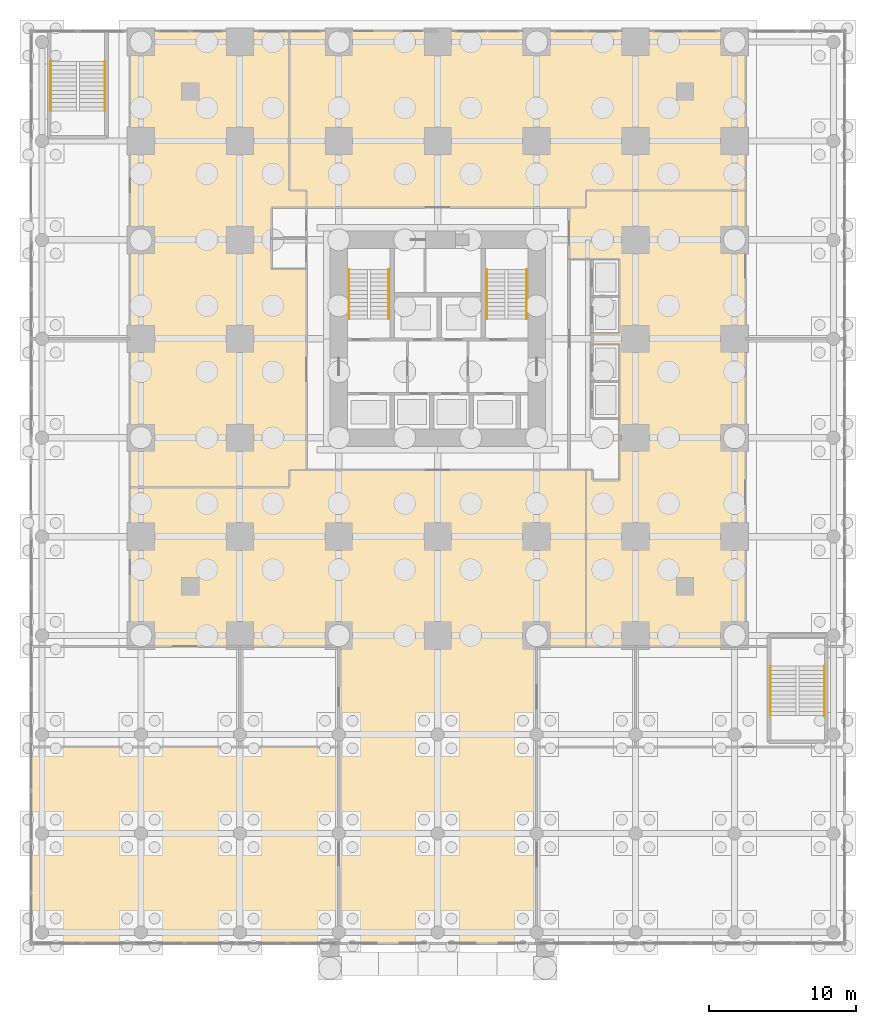
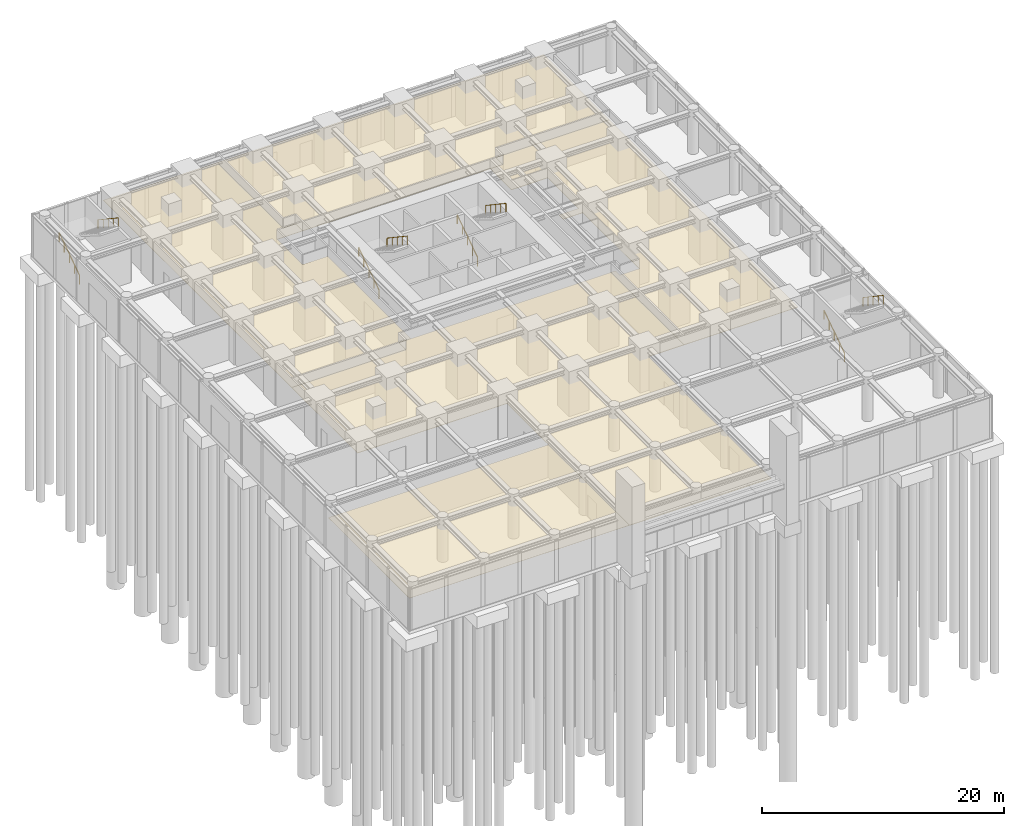
# One storey, part 13 of 14: 8 railings, 5 coverings.
"""IFC4 building model written with IfcOpenShell, lengths in metres."""

import ifcopenshell
import ifcopenshell.guid

model = None  # the IFC model being written
_history = None  # IfcOwnerHistory: only IFC2X3 demands one
_inside = {}  # id of a spatial element -> (the spatial element, [elements in it])
_under = {}  # id of a project, library or spatial element -> (it, [spatial elements below it])
_declared = {}  # id of a project -> (the project, [libraries it declares])
_typed = {}  # id of a type object -> (the type object, [elements of that type])
_made_of = {}  # id of a material, layer set ... -> (it, [elements and type objects made of it])


def new_model(schema):
    """Start an empty IFC model of exactly this schema.

    Asked for "IFC4X3", IfcOpenShell would pick the latest addendum, in which some entities
    have other attributes; the version numbers below select the first issue.
    IFC2X3 requires an IfcOwnerHistory on every rooted entity: one is made here for all.
    """
    global model, _history
    if schema == "IFC4X3":
        model = ifcopenshell.file(schema_version=(4, 3, 0, 0))
    else:
        model = ifcopenshell.file(schema=schema)
    _inside.clear()
    _under.clear()
    _declared.clear()
    _typed.clear()
    _made_of.clear()
    _history = None
    if model.schema == "IFC2X3":
        org = make("IfcOrganization", Name="unknown")
        user = make(
            "IfcPersonAndOrganization",
            ThePerson=make("IfcPerson", FamilyName="unknown"),
            TheOrganization=org,
        )
        app = make(
            "IfcApplication",
            ApplicationDeveloper=org,
            Version="unknown",
            ApplicationFullName="unknown",
            ApplicationIdentifier="unknown",
        )
        _history = make(
            "IfcOwnerHistory",
            OwningUser=user,
            OwningApplication=app,
            ChangeAction="ADDED",
            CreationDate=0,
        )
    return model


def make(cls, **values):
    """One entity of the class cls with the attributes given. An attribute that is None is left unset."""
    return model.create_entity(
        cls, **{name: value for name, value in values.items() if value is not None}
    )


def rooted(cls, **values):
    """An entity with a GlobalId (a new one), such as an element, a storey or a relation."""
    return make(cls, GlobalId=ifcopenshell.guid.new(), OwnerHistory=_history, **values)


def si_unit(unit_type, name, prefix=None):
    """IfcSIUnit, for example si_unit("LENGTHUNIT", "METRE", prefix="MILLI")."""
    return make("IfcSIUnit", UnitType=unit_type, Prefix=prefix, Name=name)


def assignment(units):
    """IfcUnitAssignment: the units of a project."""
    return None if units is None else make("IfcUnitAssignment", Units=units)


def point(xyz):
    """IfcCartesianPoint."""
    return None if xyz is None else make("IfcCartesianPoint", Coordinates=xyz)


def direction(xyz):
    """IfcDirection."""
    return None if xyz is None else make("IfcDirection", DirectionRatios=xyz)


def frame(location, z_axis=None, x_axis=None):
    """IfcAxis2Placement3D, a coordinate frame: its origin and axes. An axis left out is left unset."""
    return make(
        "IfcAxis2Placement3D",
        Location=point(location),
        Axis=direction(z_axis),
        RefDirection=direction(x_axis),
    )


def frame_2d(location, x_axis=None):
    """IfcAxis2Placement2D, a coordinate frame in the plane: its origin and x axis."""
    return make(
        "IfcAxis2Placement2D", Location=point(location), RefDirection=direction(x_axis)
    )


def origin():
    """The frame at (0, 0, 0) with its axes left unset."""
    return frame((0.0, 0.0, 0.0))


def origin_2d():
    """The frame at (0, 0) in the plane with its x axis left unset."""
    return frame_2d((0.0, 0.0))


def place(relative_to, where):
    """IfcLocalPlacement: puts the frame where relative to a parent placement (None: the world)."""
    return make(
        "IfcLocalPlacement", PlacementRelTo=relative_to, RelativePlacement=where
    )


def context(
    kind, dimensions, precision=None, world=None, true_north=None, identifier=None
):
    """IfcGeometricRepresentationContext, for example the 3D "Model" context."""
    return make(
        "IfcGeometricRepresentationContext",
        ContextIdentifier=identifier,
        ContextType=kind,
        CoordinateSpaceDimension=dimensions,
        Precision=precision,
        WorldCoordinateSystem=world,
        TrueNorth=true_north,
    )


def subcontext(parent, identifier, kind, view, scale=None):
    """IfcGeometricRepresentationSubContext, for example "Body" below "Model"."""
    return make(
        "IfcGeometricRepresentationSubContext",
        ContextIdentifier=identifier,
        ContextType=kind,
        ParentContext=parent,
        TargetScale=scale,
        TargetView=view,
    )


def project(units=None, contexts=None):
    """IfcProject with its units and contexts."""
    return rooted(
        "IfcProject",
        Name="project",
        RepresentationContexts=contexts,
        UnitsInContext=assignment(units),
    )


def spatial(cls, under=None, at=None, **own):
    """A site, building, storey or space (cls), placed at a placement, below another one or the project."""
    s = rooted(cls, ObjectPlacement=at, **own)
    if under is not None:
        _under.setdefault(under.id(), (under, []))[1].append(s)
    return s


def polyline(points):
    """IfcPolyline through the points."""
    return make("IfcPolyline", Points=[point(p) for p in points])


def profile(cls, at=None, kind="AREA", **sizes):
    """A parametric profile (cls). Its sizes go by their IFC names, for example OverallWidth=200.0."""
    return make(cls, ProfileType=kind, Position=at, **sizes)


def rectangle(**sizes):
    """IfcRectangleProfileDef."""
    return profile("IfcRectangleProfileDef", **sizes)


def outline(outer, holes=None, kind="AREA"):
    """IfcArbitraryClosedProfileDef: a profile drawn as a closed curve; with holes, ...WithVoids."""
    if holes is None:
        return make("IfcArbitraryClosedProfileDef", ProfileType=kind, OuterCurve=outer)
    return make(
        "IfcArbitraryProfileDefWithVoids",
        ProfileType=kind,
        OuterCurve=outer,
        InnerCurves=holes,
    )


def extrude(swept, where, along, depth):
    """IfcExtrudedAreaSolid: the profile swept, set in the frame where, extruded along a direction by depth."""
    return make(
        "IfcExtrudedAreaSolid",
        SweptArea=swept,
        Position=where,
        ExtrudedDirection=direction(along),
        Depth=depth,
    )


def shape(context_of_items, identifier, shape_type, items):
    """IfcShapeRepresentation: the items that make up one representation, for example the "Body"."""
    return make(
        "IfcShapeRepresentation",
        ContextOfItems=context_of_items,
        RepresentationIdentifier=identifier,
        RepresentationType=shape_type,
        Items=items,
    )


def material(Name=None, Category=None):
    """IfcMaterial."""
    return make("IfcMaterial", Name=Name, Category=Category)


def layer(
    of_material, thickness, ventilated=None, Name=None, Category=None, Priority=None
):
    """IfcMaterialLayer: one layer of a wall or slab, of a material (None: an air gap)."""
    return make(
        "IfcMaterialLayer",
        Material=of_material,
        LayerThickness=thickness,
        IsVentilated=ventilated,
        Name=Name,
        Category=Category,
        Priority=Priority,
    )


def layer_set(layers, Name=None):
    """IfcMaterialLayerSet."""
    return make("IfcMaterialLayerSet", MaterialLayers=layers, LayerSetName=Name)


def made_of(thing, what):
    """Note that an element or type object is made of a material, layer set ...; save() writes the relation."""
    if what is not None:
        _made_of.setdefault(what.id(), (what, []))[1].append(thing)
    return thing


def type_object(cls, material=None, **own):
    """A type object (cls), such as IfcWallType, which elements share."""
    return made_of(rooted(cls, **own), material)


def element(
    cls,
    number,
    at=None,
    inside=None,
    cuts=None,
    type_object=None,
    material=None,
    context=None,
    identifier="Body",
    shape_type=None,
    held_by="IfcProductDefinitionShape",
    body=None,
    shapes=None,
    **own,
):
    """One element of the class cls, such as IfcWall. Its Tag is "e" and its number.

    at: its placement. inside: the storey or other place that contains it. cuts: it is an
    opening in that element (IfcRelVoidsElement). A single representation is given by context,
    identifier, shape_type and body (its items); several are given by shapes. held_by: the class
    of the entity that holds the representations. save() writes the other relations.
    """
    e = rooted(cls, Tag="e%d" % number, ObjectPlacement=at, **own)
    if body is not None:
        shapes = [shape(context, identifier, shape_type, body)]
    if shapes is not None:
        e.Representation = make(held_by, Representations=shapes)
    if inside is not None:
        _inside.setdefault(inside.id(), (inside, []))[1].append(e)
    if cuts is not None:
        rooted(
            "IfcRelVoidsElement", RelatingBuildingElement=cuts, RelatedOpeningElement=e
        )
    if type_object is not None:
        _typed.setdefault(type_object.id(), (type_object, []))[1].append(e)
    return made_of(e, material)


def aggregate(whole, parts):
    """IfcRelAggregates: a whole, such as a stair, and the parts it consists of."""
    return rooted("IfcRelAggregates", RelatingObject=whole, RelatedObjects=parts)


def save(model, path):
    """Write the relations noted so far, then the file.

    IfcRelAggregates (storeys below a building ...), IfcRelContainedInSpatialStructure (elements
    in a storey), IfcRelDefinesByType, IfcRelAssociatesMaterial and IfcRelDeclares: one each for
    every whole, place, type object, material and project.
    """
    for whole, parts in _under.values():
        aggregate(whole, parts)
    for where, things in _inside.values():
        rooted(
            "IfcRelContainedInSpatialStructure",
            RelatedElements=things,
            RelatingStructure=where,
        )
    for kind, things in _typed.values():
        rooted("IfcRelDefinesByType", RelatedObjects=things, RelatingType=kind)
    for what, things in _made_of.values():
        rooted("IfcRelAssociatesMaterial", RelatedObjects=things, RelatingMaterial=what)
    for by, libraries in _declared.values():
        rooted("IfcRelDeclares", RelatingContext=by, RelatedDefinitions=libraries)
    model.write(path)


model = new_model("IFC4")

# Units and contexts
model_context = context("Model", 3, precision=1e-05, world=origin(), true_north=direction((0.0, 1.0)))
body_context = subcontext(model_context, "Body", "Model", "MODEL_VIEW")
ifc_project = project(units=[si_unit("LENGTHUNIT", "METRE"), si_unit("AREAUNIT", "SQUARE_METRE"), si_unit("VOLUMEUNIT", "CUBIC_METRE"), si_unit("PLANEANGLEUNIT", "RADIAN"), si_unit("MASSUNIT", "GRAM", prefix="KILO")], contexts=[model_context])

# Site, building, storey
site_placement = place(None, origin())
site = spatial("IfcSite", under=ifc_project, at=site_placement, CompositionType="ELEMENT")
building_placement = place(site_placement, origin())
building = spatial("IfcBuilding", under=site, at=building_placement, Name="Nyansa Garden Tower", CompositionType="ELEMENT")
storey_placement = place(building_placement, origin())
storey = spatial("IfcBuildingStorey", under=building, at=storey_placement, Name="L00", CompositionType="ELEMENT", Elevation=0.0)

# Covering
ifc_material_1 = material(Name="Perforated timber acoustic ceiling", Category="wood")
ifc_layer_1 = layer(ifc_material_1, 0.02001953125)
ifc_layer_set_1 = layer_set([ifc_layer_1], Name="Acoustic ceiling CL20")
covering_type_1 = type_object("IfcCoveringType", Name="Acoustic ceiling CL20", PredefinedType="CEILING", material=ifc_layer_set_1)
covering_1_placement = place(storey_placement, frame((0.0, 0.0, 3.22998046875)))
element("IfcCovering", 1, at=covering_1_placement, inside=storey, type_object=covering_type_1, Name="Ceiling L00-017", PredefinedType="CEILING", context=body_context, shape_type="SweptSolid", body=[
    extrude(outline(polyline([(13.5, -7.60009765625), (13.5, -21.0), (-7.5, -21.0), (-7.5, -7.60009765625), (13.5, -7.60009765625)])), origin(), (0.0, 0.0, 1.0), 0.02001953125),
])

# Railings
ifc_material_2 = material(Name="Black powder-coated steel tube 48 mm", Category="steel")
railing_type = type_object("IfcRailingType", Name="Stair handrail HR1", PredefinedType="HANDRAIL", material=ifc_material_2)
railing_1_placement = place(storey_placement, frame((14.199951171875, 21.60009765625, 0.0)))
element("IfcRailing", 2, at=railing_1_placement, inside=storey, type_object=railing_type, Name="Stair S1 handrail L00", PredefinedType="HANDRAIL", context=body_context, shape_type="SweptSolid", body=[
    extrude(rectangle(XDim=0.048095703125, YDim=0.048095703125, at=origin_2d()), frame((0.0, 0.0, 0.8759765625), z_axis=(0.0, 0.830896709279, 0.556426687452), x_axis=(-1.0, 0.0, 0.0)), (0.0, 0.0, 1.0), 4.043701171875),
    extrude(rectangle(XDim=0.0419921875, YDim=0.0419921875, at=origin_2d()), origin(), (0.0, 0.0, 1.0), 0.851806640625),
    extrude(rectangle(XDim=0.0419921875, YDim=0.0419921875, at=origin_2d()), frame((0.0, 0.83984375, 0.5625)), (0.0, 0.0, 1.0), 0.851806640625),
    extrude(rectangle(XDim=0.0419921875, YDim=0.0419921875, at=origin_2d()), frame((0.0, 1.679931640625, 1.125)), (0.0, 0.0, 1.0), 0.851806640625),
    extrude(rectangle(XDim=0.0419921875, YDim=0.0419921875, at=origin_2d()), frame((0.0, 2.52001953125, 1.6875)), (0.0, 0.0, 1.0), 0.851806640625),
    extrude(rectangle(XDim=0.0419921875, YDim=0.0419921875, at=origin_2d()), frame((0.0, 3.35986328125, 2.25)), (0.0, 0.0, 1.0), 0.851806640625),
])
railing_2_placement = place(storey_placement, frame((16.89990234375, 24.9599609375, 2.25)))
element("IfcRailing", 3, at=railing_2_placement, inside=storey, type_object=railing_type, Name="Stair S1 handrail L00", PredefinedType="HANDRAIL", context=body_context, shape_type="SweptSolid", body=[
    extrude(rectangle(XDim=0.048095703125, YDim=0.048095703125, at=origin_2d()), frame((0.0, 0.0, 0.8759765625), z_axis=(0.0, -0.830896709279, 0.556426687452), x_axis=(1.0, 0.0, 0.0)), (0.0, 0.0, 1.0), 4.043701171875),
    extrude(rectangle(XDim=0.0419921875, YDim=0.0419921875, at=origin_2d()), origin(), (0.0, 0.0, 1.0), 0.851806640625),
    extrude(rectangle(XDim=0.0419921875, YDim=0.0419921875, at=origin_2d()), frame((0.0, -0.83984375, 0.5625)), (0.0, 0.0, 1.0), 0.851806640625),
    extrude(rectangle(XDim=0.0419921875, YDim=0.0419921875, at=origin_2d()), frame((0.0, -1.679931640625, 1.125)), (0.0, 0.0, 1.0), 0.851806640625),
    extrude(rectangle(XDim=0.0419921875, YDim=0.0419921875, at=origin_2d()), frame((0.0, -2.52001953125, 1.6875)), (0.0, 0.0, 1.0), 0.851806640625),
    extrude(rectangle(XDim=0.0419921875, YDim=0.0419921875, at=origin_2d()), frame((0.0, -3.35986328125, 2.25)), (0.0, 0.0, 1.0), 0.851806640625),
])
railing_3_placement = place(storey_placement, frame((23.60009765625, 21.60009765625, 0.0)))
element("IfcRailing", 4, at=railing_3_placement, inside=storey, type_object=railing_type, Name="Stair S2 handrail L00", PredefinedType="HANDRAIL", context=body_context, shape_type="SweptSolid", body=[
    extrude(rectangle(XDim=0.048095703125, YDim=0.048095703125, at=origin_2d()), frame((0.0, 0.0, 0.8759765625), z_axis=(0.0, 0.830896709279, 0.556426687452), x_axis=(-1.0, 0.0, 0.0)), (0.0, 0.0, 1.0), 4.043701171875),
    extrude(rectangle(XDim=0.0419921875, YDim=0.0419921875, at=origin_2d()), origin(), (0.0, 0.0, 1.0), 0.851806640625),
    extrude(rectangle(XDim=0.0419921875, YDim=0.0419921875, at=origin_2d()), frame((0.0, 0.83984375, 0.5625)), (0.0, 0.0, 1.0), 0.851806640625),
    extrude(rectangle(XDim=0.0419921875, YDim=0.0419921875, at=origin_2d()), frame((0.0, 1.679931640625, 1.125)), (0.0, 0.0, 1.0), 0.851806640625),
    extrude(rectangle(XDim=0.0419921875, YDim=0.0419921875, at=origin_2d()), frame((0.0, 2.52001953125, 1.6875)), (0.0, 0.0, 1.0), 0.851806640625),
    extrude(rectangle(XDim=0.0419921875, YDim=0.0419921875, at=origin_2d()), frame((0.0, 3.35986328125, 2.25)), (0.0, 0.0, 1.0), 0.851806640625),
])
railing_4_placement = place(storey_placement, frame((26.300048828125, 24.9599609375, 2.25)))
element("IfcRailing", 5, at=railing_4_placement, inside=storey, type_object=railing_type, Name="Stair S2 handrail L00", PredefinedType="HANDRAIL", context=body_context, shape_type="SweptSolid", body=[
    extrude(rectangle(XDim=0.048095703125, YDim=0.048095703125, at=origin_2d()), frame((0.0, 0.0, 0.8759765625), z_axis=(0.0, -0.830896709279, 0.556426687452), x_axis=(1.0, 0.0, 0.0)), (0.0, 0.0, 1.0), 4.043701171875),
    extrude(rectangle(XDim=0.0419921875, YDim=0.0419921875, at=origin_2d()), origin(), (0.0, 0.0, 1.0), 0.851806640625),
    extrude(rectangle(XDim=0.0419921875, YDim=0.0419921875, at=origin_2d()), frame((0.0, -0.83984375, 0.5625)), (0.0, 0.0, 1.0), 0.851806640625),
    extrude(rectangle(XDim=0.0419921875, YDim=0.0419921875, at=origin_2d()), frame((0.0, -1.679931640625, 1.125)), (0.0, 0.0, 1.0), 0.851806640625),
    extrude(rectangle(XDim=0.0419921875, YDim=0.0419921875, at=origin_2d()), frame((0.0, -2.52001953125, 1.6875)), (0.0, 0.0, 1.0), 0.851806640625),
    extrude(rectangle(XDim=0.0419921875, YDim=0.0419921875, at=origin_2d()), frame((0.0, -3.35986328125, 2.25)), (0.0, 0.0, 1.0), 0.851806640625),
])
railing_5_placement = place(storey_placement, frame((-6.14990234375, 35.800048828125, 0.0)))
element("IfcRailing", 6, at=railing_5_placement, inside=storey, type_object=railing_type, Name="Stair S3 handrail L00", PredefinedType="HANDRAIL", context=body_context, shape_type="SweptSolid", body=[
    extrude(rectangle(XDim=0.048095703125, YDim=0.048095703125, at=origin_2d()), frame((0.0, 0.0, 0.8759765625), z_axis=(0.0, 0.830896709279, 0.556426687452), x_axis=(-1.0, 0.0, 0.0)), (0.0, 0.0, 1.0), 4.043701171875),
    extrude(rectangle(XDim=0.0419921875, YDim=0.0419921875, at=origin_2d()), origin(), (0.0, 0.0, 1.0), 0.851806640625),
    extrude(rectangle(XDim=0.0419921875, YDim=0.0419921875, at=origin_2d()), frame((0.0, 0.83984375, 0.5625)), (0.0, 0.0, 1.0), 0.851806640625),
    extrude(rectangle(XDim=0.0419921875, YDim=0.0419921875, at=origin_2d()), frame((0.0, 1.679931640625, 1.125)), (0.0, 0.0, 1.0), 0.851806640625),
    extrude(rectangle(XDim=0.0419921875, YDim=0.0419921875, at=origin_2d()), frame((0.0, 2.52001953125, 1.6875)), (0.0, 0.0, 1.0), 0.851806640625),
    extrude(rectangle(XDim=0.0419921875, YDim=0.0419921875, at=origin_2d()), frame((0.0, 3.35986328125, 2.25)), (0.0, 0.0, 1.0), 0.851806640625),
])
railing_6_placement = place(storey_placement, frame((-2.449951171875, 39.159912109375, 2.25)))
element("IfcRailing", 7, at=railing_6_placement, inside=storey, type_object=railing_type, Name="Stair S3 handrail L00", PredefinedType="HANDRAIL", context=body_context, shape_type="SweptSolid", body=[
    extrude(rectangle(XDim=0.048095703125, YDim=0.048095703125, at=origin_2d()), frame((0.0, 0.0, 0.8759765625), z_axis=(0.0, -0.830896709279, 0.556426687452), x_axis=(1.0, 0.0, 0.0)), (0.0, 0.0, 1.0), 4.043701171875),
    extrude(rectangle(XDim=0.0419921875, YDim=0.0419921875, at=origin_2d()), origin(), (0.0, 0.0, 1.0), 0.851806640625),
    extrude(rectangle(XDim=0.0419921875, YDim=0.0419921875, at=origin_2d()), frame((0.0, -0.83984375, 0.5625)), (0.0, 0.0, 1.0), 0.851806640625),
    extrude(rectangle(XDim=0.0419921875, YDim=0.0419921875, at=origin_2d()), frame((0.0, -1.679931640625, 1.125)), (0.0, 0.0, 1.0), 0.851806640625),
    extrude(rectangle(XDim=0.0419921875, YDim=0.0419921875, at=origin_2d()), frame((0.0, -2.52001953125, 1.6875)), (0.0, 0.0, 1.0), 0.851806640625),
    extrude(rectangle(XDim=0.0419921875, YDim=0.0419921875, at=origin_2d()), frame((0.0, -3.35986328125, 2.25)), (0.0, 0.0, 1.0), 0.851806640625),
])
railing_7_placement = place(storey_placement, frame((42.949951171875, -5.449951171875, 0.0)))
element("IfcRailing", 8, at=railing_7_placement, inside=storey, type_object=railing_type, Name="Stair S4 handrail L00", PredefinedType="HANDRAIL", context=body_context, shape_type="SweptSolid", body=[
    extrude(rectangle(XDim=0.048095703125, YDim=0.048095703125, at=origin_2d()), frame((0.0, 0.0, 0.8759765625), z_axis=(0.0, 0.830896709279, 0.556426687452), x_axis=(-1.0, 0.0, 0.0)), (0.0, 0.0, 1.0), 4.043701171875),
    extrude(rectangle(XDim=0.0419921875, YDim=0.0419921875, at=origin_2d()), origin(), (0.0, 0.0, 1.0), 0.851806640625),
    extrude(rectangle(XDim=0.0419921875, YDim=0.0419921875, at=origin_2d()), frame((0.0, 0.83984375, 0.5625)), (0.0, 0.0, 1.0), 0.851806640625),
    extrude(rectangle(XDim=0.0419921875, YDim=0.0419921875, at=origin_2d()), frame((0.0, 1.679931640625, 1.125)), (0.0, 0.0, 1.0), 0.851806640625),
    extrude(rectangle(XDim=0.0419921875, YDim=0.0419921875, at=origin_2d()), frame((0.0, 2.52001953125, 1.6875)), (0.0, 0.0, 1.0), 0.851806640625),
    extrude(rectangle(XDim=0.0419921875, YDim=0.0419921875, at=origin_2d()), frame((0.0, 3.35986328125, 2.25)), (0.0, 0.0, 1.0), 0.851806640625),
])
railing_8_placement = place(storey_placement, frame((46.64990234375, -2.090087890625, 2.25)))
element("IfcRailing", 9, at=railing_8_placement, inside=storey, type_object=railing_type, Name="Stair S4 handrail L00", PredefinedType="HANDRAIL", context=body_context, shape_type="SweptSolid", body=[
    extrude(rectangle(XDim=0.048095703125, YDim=0.048095703125, at=origin_2d()), frame((0.0, 0.0, 0.8759765625), z_axis=(0.0, -0.830896709279, 0.556426687452), x_axis=(1.0, 0.0, 0.0)), (0.0, 0.0, 1.0), 4.043701171875),
    extrude(rectangle(XDim=0.0419921875, YDim=0.0419921875, at=origin_2d()), origin(), (0.0, 0.0, 1.0), 0.851806640625),
    extrude(rectangle(XDim=0.0419921875, YDim=0.0419921875, at=origin_2d()), frame((0.0, -0.83984375, 0.5625)), (0.0, 0.0, 1.0), 0.851806640625),
    extrude(rectangle(XDim=0.0419921875, YDim=0.0419921875, at=origin_2d()), frame((0.0, -1.679931640625, 1.125)), (0.0, 0.0, 1.0), 0.851806640625),
    extrude(rectangle(XDim=0.0419921875, YDim=0.0419921875, at=origin_2d()), frame((0.0, -2.52001953125, 1.6875)), (0.0, 0.0, 1.0), 0.851806640625),
    extrude(rectangle(XDim=0.0419921875, YDim=0.0419921875, at=origin_2d()), frame((0.0, -3.35986328125, 2.25)), (0.0, 0.0, 1.0), 0.851806640625),
])

# Coverings
ifc_material_3 = material(Name="Glazed ceramic tile coffers on suspended grid")
ifc_layer_2 = layer(ifc_material_3, 0.0400390625)
ifc_layer_set_2 = layer_set([ifc_layer_2], Name="Tiled coffered ceiling CL40")
covering_type_2 = type_object("IfcCoveringType", Name="Tiled coffered ceiling CL40", PredefinedType="CEILING", material=ifc_layer_set_2)
covering_2_placement = place(storey_placement, frame((0.0, 0.0, 3.2099609375)))
element("IfcCovering", 10, at=covering_2_placement, inside=storey, type_object=covering_type_2, Name="Ceiling L00-016", PredefinedType="CEILING", context=body_context, shape_type="SweptSolid", body=[
    extrude(outline(polyline([(13.5, -0.75), (-0.75, -0.75), (-0.75, 10.125), (10.125, 10.125), (10.125, 11.300048828125), (30.375, 11.300048828125), (30.375, -0.75), (27.0, -0.75), (27.0, -21.0), (13.5, -21.0), (13.5, -0.75)])), origin(), (0.0, 0.0, 1.0), 0.0400390625),
])
covering_3_placement = place(storey_placement, frame((0.0, 0.0, 3.2099609375)))
element("IfcCovering", 11, at=covering_3_placement, inside=storey, type_object=covering_type_2, Name="Ceiling L00-021", PredefinedType="CEILING", context=body_context, shape_type="SweptSolid", body=[
    extrude(outline(polyline([(30.800048828125, 11.300048828125), (30.800048828125, 10.60009765625), (32.64990234375, 10.60009765625), (32.64990234375, 19.89990234375), (30.800048828125, 19.89990234375), (30.800048828125, 20.60009765625), (32.64990234375, 20.60009765625), (32.64990234375, 25.699951171875), (29.199951171875, 25.699951171875), (29.199951171875, 29.199951171875), (30.375, 29.199951171875), (30.375, 30.375), (41.25, 30.375), (41.25, -0.75), (30.375, -0.75), (30.375, 11.300048828125), (30.800048828125, 11.300048828125)])), origin(), (0.0, 0.0, 1.0), 0.0400390625),
])
covering_4_placement = place(storey_placement, frame((0.0, 0.0, 3.2099609375)))
element("IfcCovering", 12, at=covering_4_placement, inside=storey, type_object=covering_type_2, Name="Ceiling L00-022", PredefinedType="CEILING", context=body_context, shape_type="SweptSolid", body=[
    extrude(outline(polyline([(41.25, 41.25), (41.25, 30.375), (30.375, 30.375), (30.375, 29.199951171875), (11.300048828125, 29.199951171875), (11.300048828125, 30.375), (10.125, 30.375), (10.125, 41.25), (41.25, 41.25)])), origin(), (0.0, 0.0, 1.0), 0.0400390625),
])
covering_5_placement = place(storey_placement, frame((0.0, 0.0, 3.2099609375)))
element("IfcCovering", 13, at=covering_5_placement, inside=storey, type_object=covering_type_2, Name="Ceiling L00-025", PredefinedType="CEILING", context=body_context, shape_type="SweptSolid", body=[
    extrude(outline(polyline([(10.125, 41.25), (10.125, 30.375), (11.300048828125, 30.375), (11.300048828125, 29.199951171875), (8.89990234375, 29.199951171875), (8.89990234375, 25.0), (11.300048828125, 25.0), (11.300048828125, 11.300048828125), (10.125, 11.300048828125), (10.125, 10.125), (-0.75, 10.125), (-0.75, 41.25), (10.125, 41.25)])), origin(), (0.0, 0.0, 1.0), 0.0400390625),
])

save(model, "model.ifc")
